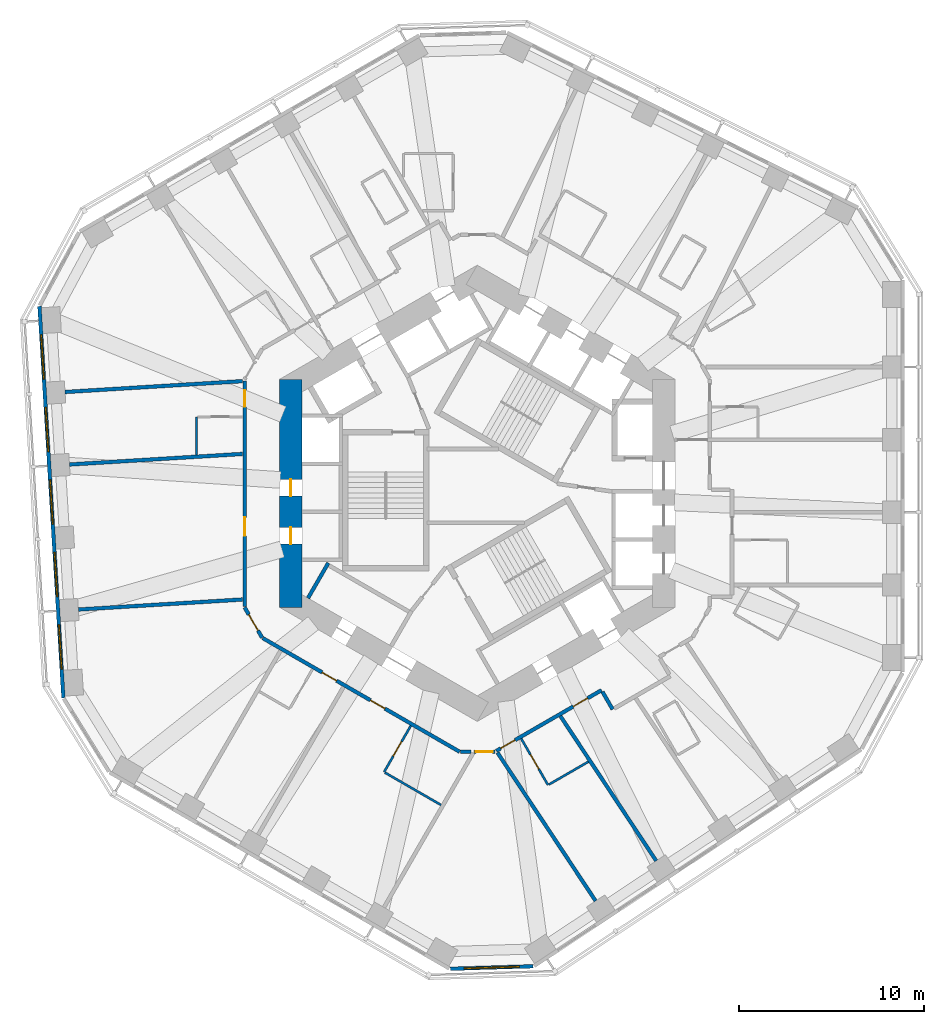
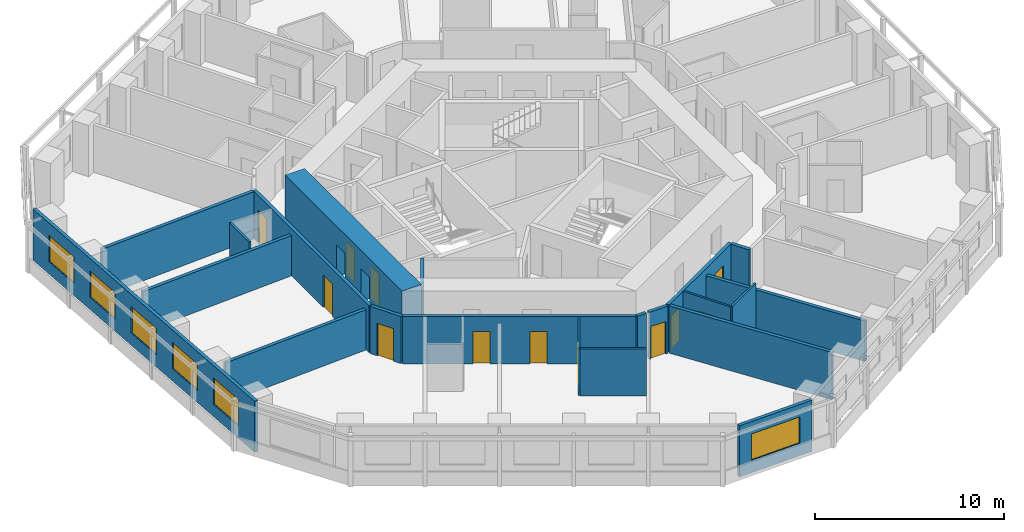
# One storey, part 4 of 12: 21 walls, 12 doors, 6 windows, 18 openings.
"""IFC4 building model written with IfcOpenShell, lengths in metres."""

from ifc_helpers import new_model, si_unit, direction, frame, frame_2d, origin, place, context, subcontext, project, spatial, rectangle, extrude, material, layer, layer_set, type_object, element, fill, save


model = new_model("IFC4")

# Units and contexts
model_context = context("Model", 3, precision=1e-05, world=origin(), true_north=direction((0.0, 1.0)))
body_context = subcontext(model_context, "Body", "Model", "MODEL_VIEW")
ifc_project = project(units=[si_unit("LENGTHUNIT", "METRE"), si_unit("AREAUNIT", "SQUARE_METRE"), si_unit("VOLUMEUNIT", "CUBIC_METRE"), si_unit("PLANEANGLEUNIT", "RADIAN"), si_unit("MASSUNIT", "GRAM", prefix="KILO")], contexts=[model_context])

# Site, building, storey
site_placement = place(None, origin())
site = spatial("IfcSite", under=ifc_project, at=site_placement, CompositionType="ELEMENT")
building_placement = place(site_placement, origin())
building = spatial("IfcBuilding", under=site, at=building_placement, Name="Vanh Sen Convention Tower", CompositionType="ELEMENT")
storey_placement = place(building_placement, frame((0.0, 0.0, 83.60009765625)))
storey = spatial("IfcBuildingStorey", under=building, at=storey_placement, Name="L18", CompositionType="ELEMENT", Elevation=83.60009765625)

# Wall
ifc_material_1 = material(Name="Moisture-resistant gypsum board on steel studs", Category="steel")
ifc_layer_1 = layer(ifc_material_1, 0.1201171875)
ifc_layer_set_1 = layer_set([ifc_layer_1], Name="Moisture-resistant gypsum board on steel studs")
wall_type_1 = type_object("IfcWallType", Name="Bathroom partition 120", PredefinedType="PARTITIONING", material=ifc_layer_set_1)
wall_1_placement = place(storey_placement, frame((-15.199951171875, 2.080322265625, 0.0), z_axis=(0.0, 0.0, 1.0), x_axis=(0.0, 1.0, 0.0)))
element("IfcWall", 1, at=wall_1_placement, inside=storey, type_object=wall_type_1, Name="Bathroom partition 120", PredefinedType="PARTITIONING", context=body_context, shape_type="SweptSolid", body=[
    extrude(rectangle(XDim=2.05908203125, YDim=0.1201171875, at=frame_2d((1.029541015625, 0.0))), origin(), (0.0, 0.0, 1.0), 3.0498046875),
])

# Wall, opening, door
wall_2_placement = place(storey_placement, frame((-5.048095703125, -15.098876953125, 0.0), z_axis=(0.0, 0.0, 1.0), x_axis=(0.499987231761, 0.866032775405, 0.0)))
wall_2 = element("IfcWall", 2, at=wall_2_placement, inside=storey, type_object=wall_type_1, Name="Bathroom partition 120", PredefinedType="PARTITIONING", context=body_context, shape_type="SweptSolid", body=[
    extrude(rectangle(XDim=2.89990234375, YDim=0.1201171875, at=frame_2d((1.449951171875, 0.0))), origin(), (0.0, 0.0, 1.0), 3.0498046875),
])
opening_1_placement = place(wall_2_placement, frame((1.0, 0.0, 0.0)))
opening_1 = element("IfcOpeningElement", 3, at=opening_1_placement, cuts=wall_2, Name="Opening D16128", PredefinedType="OPENING", context=body_context, shape_type="SweptSolid", body=[
    extrude(rectangle(XDim=0.89990234375, YDim=2.10009765625, at=frame_2d((0.449951171875, 1.050048828125))), frame((0.0, 0.070068359375, 0.0), z_axis=(0.0, -1.0, 0.0), x_axis=(1.0, 0.0, 0.0)), (0.0, 0.0, 1.0), 0.14013671875),
])
ifc_material_2 = material(Name="Laminate door in steel frame", Category="steel")
door_type_1 = type_object("IfcDoorType", Name="En-suite door 900", OperationType="SINGLE_SWING_LEFT", PredefinedType="DOOR", material=ifc_material_2)
door_1_placement = place(opening_1_placement, origin())
door_1 = element("IfcDoor", 4, at=door_1_placement, inside=storey, type_object=door_type_1, Name="En-suite door D16128", OperationType="SINGLE_SWING_LEFT", OverallHeight=2.10009765625, OverallWidth=0.89990234375, PredefinedType="DOOR", context=body_context, shape_type="SweptSolid", body=[
    extrude(rectangle(XDim=0.89990234375, YDim=2.10009765625, at=frame_2d((0.449951171875, 1.050048828125))), frame((0.0, 0.02490234375, 0.0), z_axis=(0.0, -1.0, 0.0), x_axis=(1.0, 0.0, 0.0)), (0.0, 0.0, 1.0), 0.050048828125),
])
fill(opening_1, door_1)

# Wall
wall_3_placement = place(storey_placement, frame((-1.963623046875, -16.879638671875, 0.0), z_axis=(0.0, 0.0, 1.0), x_axis=(-0.866033485632, 0.499986001567, 0.0)))
element("IfcWall", 5, at=wall_3_placement, inside=storey, type_object=wall_type_1, Name="Bathroom partition 120", PredefinedType="PARTITIONING", context=body_context, shape_type="SweptSolid", body=[
    extrude(rectangle(XDim=3.50146484375, YDim=0.1201171875, at=frame_2d((1.750732421875, 0.0))), origin(), (0.0, 0.0, 1.0), 3.0498046875),
])

# Wall, opening, door
wall_4_placement = place(storey_placement, frame((3.83251953125, -15.800537109375, 0.0), z_axis=(0.0, 0.0, 1.0), x_axis=(-0.500023687443, 0.866011727401, 0.0)))
wall_4 = element("IfcWall", 6, at=wall_4_placement, inside=storey, type_object=wall_type_1, Name="Bathroom partition 120", PredefinedType="PARTITIONING", context=body_context, shape_type="SweptSolid", body=[
    extrude(rectangle(XDim=2.899658203125, YDim=0.1201171875, at=frame_2d((1.44970703125, 0.0))), origin(), (0.0, 0.0, 1.0), 3.0498046875),
])
opening_2_placement = place(wall_4_placement, frame((1.0, 0.0, 0.0)))
opening_2 = element("IfcOpeningElement", 7, at=opening_2_placement, cuts=wall_4, Name="Opening D16131", PredefinedType="OPENING", context=body_context, shape_type="SweptSolid", body=[
    extrude(rectangle(XDim=0.89990234375, YDim=2.10009765625, at=frame_2d((0.449951171875, 1.050048828125))), frame((0.0, 0.070068359375, 0.0), z_axis=(0.0, -1.0, 0.0), x_axis=(1.0, 0.0, 0.0)), (0.0, 0.0, 1.0), 0.14013671875),
])
door_2_placement = place(opening_2_placement, origin())
door_2 = element("IfcDoor", 8, at=door_2_placement, inside=storey, type_object=door_type_1, Name="En-suite door D16131", OperationType="SINGLE_SWING_LEFT", OverallHeight=2.10009765625, OverallWidth=0.89990234375, PredefinedType="DOOR", context=body_context, shape_type="SweptSolid", body=[
    extrude(rectangle(XDim=0.89990234375, YDim=2.10009765625, at=frame_2d((0.449951171875, 1.050048828125))), frame((0.0, 0.02490234375, 0.0), z_axis=(0.0, -1.0, 0.0), x_axis=(1.0, 0.0, 0.0)), (0.0, 0.0, 1.0), 0.050048828125),
])
fill(opening_2, door_2)

# Wall
wall_5_placement = place(storey_placement, frame((6.01953125, -14.537841796875, 0.0), z_axis=(0.0, 0.0, 1.0), x_axis=(-0.866022320763, -0.500005339912, 0.0)))
element("IfcWall", 9, at=wall_5_placement, inside=storey, type_object=wall_type_1, Name="Bathroom partition 120", PredefinedType="PARTITIONING", context=body_context, shape_type="SweptSolid", body=[
    extrude(rectangle(XDim=2.46533203125, YDim=0.1201171875, at=frame_2d((1.232666015625, 0.0))), origin(), (0.0, 0.0, 1.0), 3.0498046875),
])

# Wall, openings, doors
ifc_material_3 = material(Name="Concrete C80/95", Category="concrete")
ifc_layer_2 = layer(ifc_material_3, 1.199951171875)
ifc_layer_set_2 = layer_set([ifc_layer_2], Name="Concrete C80/95")
wall_type_2 = type_object("IfcWallType", Name="Core outer wall 1200 C80/95", PredefinedType="SHEAR", material=ifc_layer_set_2)
wall_6_placement = place(storey_placement, frame((-10.10009765625, 6.177490234375, 0.0), z_axis=(0.0, 0.0, 1.0), x_axis=(0.0, -1.0, 0.0)))
wall_6 = element("IfcWall", 10, at=wall_6_placement, inside=storey, type_object=wall_type_2, Name="Core wall face W L18", PredefinedType="SHEAR", context=body_context, shape_type="SweptSolid", body=[
    extrude(rectangle(XDim=12.35498046875, YDim=1.199951171875, at=frame_2d((6.177490234375, 0.0))), origin(), (0.0, 0.0, 1.0), 3.2998046875),
])
opening_3_placement = place(wall_6_placement, frame((5.427490234375, 0.0, 0.0)))
opening_3 = element("IfcOpeningElement", 11, at=opening_3_placement, cuts=wall_6, Name="Opening D16010", PredefinedType="OPENING", context=body_context, shape_type="SweptSolid", body=[
    extrude(rectangle(XDim=0.89990234375, YDim=2.10009765625, at=frame_2d((0.449951171875, 1.050048828125))), frame((0.0, 0.60986328125, 0.0), z_axis=(0.0, -1.0, 0.0), x_axis=(1.0, 0.0, 0.0)), (0.0, 0.0, 1.0), 1.219970703125),
])
opening_4_placement = place(wall_6_placement, frame((8.027587890625, 0.0, 0.0)))
opening_4 = element("IfcOpeningElement", 12, at=opening_4_placement, cuts=wall_6, Name="Opening D16011", PredefinedType="OPENING", context=body_context, shape_type="SweptSolid", body=[
    extrude(rectangle(XDim=0.89990234375, YDim=2.10009765625, at=frame_2d((0.449951171875, 1.050048828125))), frame((0.0, 0.60986328125, 0.0), z_axis=(0.0, -1.0, 0.0), x_axis=(1.0, 0.0, 0.0)), (0.0, 0.0, 1.0), 1.219970703125),
])
ifc_material_4 = material(Name="Steel S355", Category="steel")
door_type_2 = type_object("IfcDoorType", Name="Plant door 900", OperationType="SINGLE_SWING_LEFT", PredefinedType="DOOR", material=ifc_material_4)
door_3_placement = place(opening_3_placement, origin())
door_3 = element("IfcDoor", 13, at=door_3_placement, inside=storey, type_object=door_type_2, Name="Plant door D16010", OperationType="SINGLE_SWING_LEFT", OverallHeight=2.10009765625, OverallWidth=0.89990234375, PredefinedType="DOOR", context=body_context, shape_type="SweptSolid", body=[
    extrude(rectangle(XDim=0.89990234375, YDim=2.10009765625, at=frame_2d((0.449951171875, 1.050048828125))), frame((0.0, 0.02490234375, 0.0), z_axis=(0.0, -1.0, 0.0), x_axis=(1.0, 0.0, 0.0)), (0.0, 0.0, 1.0), 0.050048828125),
])
fill(opening_3, door_3)
door_4_placement = place(opening_4_placement, origin())
door_4 = element("IfcDoor", 14, at=door_4_placement, inside=storey, type_object=door_type_2, Name="Plant door D16011", OperationType="SINGLE_SWING_LEFT", OverallHeight=2.10009765625, OverallWidth=0.89990234375, PredefinedType="DOOR", context=body_context, shape_type="SweptSolid", body=[
    extrude(rectangle(XDim=0.89990234375, YDim=2.10009765625, at=frame_2d((0.449951171875, 1.050048828125))), frame((0.0, 0.02490234375, 0.0), z_axis=(0.0, -1.0, 0.0), x_axis=(1.0, 0.0, 0.0)), (0.0, 0.0, 1.0), 0.050048828125),
])
fill(opening_4, door_4)

# Wall, opening, door
ifc_material_5 = material(Name="Gypsum board on steel studs with mineral wool", Category="steel")
ifc_layer_3 = layer(ifc_material_5, 0.199951171875)
ifc_layer_set_3 = layer_set([ifc_layer_3], Name="Gypsum board on steel studs with mineral wool")
wall_type_3 = type_object("IfcWallType", Name="Corridor partition wall 200", PredefinedType="PARTITIONING", material=ifc_layer_set_3)
wall_7_placement = place(storey_placement, frame((-12.60009765625, -6.177490234375, 0.0), z_axis=(0.0, 0.0, 1.0), x_axis=(0.500063520245, -0.865988727248, 0.0)))
wall_7 = element("IfcWall", 15, at=wall_7_placement, inside=storey, type_object=wall_type_3, Name="Corridor partition wall 200", PredefinedType="PARTITIONING", context=body_context, shape_type="SweptSolid", body=[
    extrude(rectangle(XDim=1.900146484375, YDim=0.199951171875, at=frame_2d((0.9501953125, 0.0))), origin(), (0.0, 0.0, 1.0), 3.0498046875),
])
opening_5_placement = place(wall_7_placement, frame((0.449951171875, 0.0, 0.0)))
opening_5 = element("IfcOpeningElement", 16, at=opening_5_placement, cuts=wall_7, Name="Opening D16124", PredefinedType="OPENING", context=body_context, shape_type="SweptSolid", body=[
    extrude(rectangle(XDim=1.0, YDim=2.10009765625, at=frame_2d((0.5, 1.050048828125))), frame((0.0, 0.10986328125, 0.0), z_axis=(0.0, -1.0, 0.0), x_axis=(1.0, 0.0, 0.0)), (0.0, 0.0, 1.0), 0.219970703125),
])
ifc_material_6 = material(Name="Timber fire door in steel frame", Category="steel")
door_type_3 = type_object("IfcDoorType", Name="Floor room door 1000", OperationType="SINGLE_SWING_LEFT", PredefinedType="DOOR", material=ifc_material_6)
door_5_placement = place(opening_5_placement, origin())
door_5 = element("IfcDoor", 17, at=door_5_placement, inside=storey, type_object=door_type_3, Name="Meeting and amenity room door D16124", OperationType="SINGLE_SWING_LEFT", OverallHeight=2.10009765625, OverallWidth=1.0, PredefinedType="DOOR", context=body_context, shape_type="SweptSolid", body=[
    extrude(rectangle(XDim=1.0, YDim=2.10009765625, at=frame_2d((0.5, 1.050048828125))), frame((0.0, 0.02490234375, 0.0), z_axis=(0.0, -1.0, 0.0), x_axis=(1.0, 0.0, 0.0)), (0.0, 0.0, 1.0), 0.050048828125),
])
fill(opening_5, door_5)

# Wall, openings, doors
wall_8_placement = place(storey_placement, frame((-12.60009765625, 6.081298828125, 0.0), z_axis=(0.0, 0.0, 1.0), x_axis=(0.0, -1.0, 0.0)))
wall_8 = element("IfcWall", 18, at=wall_8_placement, inside=storey, type_object=wall_type_3, Name="Corridor partition wall 200", PredefinedType="PARTITIONING", context=body_context, shape_type="SweptSolid", body=[
    extrude(rectangle(XDim=12.218994140625, YDim=0.199951171875, at=frame_2d((6.109375, 0.0))), origin(), (0.0, 0.0, 1.0), 3.0498046875),
])
opening_6_placement = place(wall_8_placement, frame((0.495849609375, 0.0, 0.0)))
opening_6 = element("IfcOpeningElement", 19, at=opening_6_placement, cuts=wall_8, Name="Opening D16121", PredefinedType="OPENING", context=body_context, shape_type="SweptSolid", body=[
    extrude(rectangle(XDim=0.89990234375, YDim=2.10009765625, at=frame_2d((0.449951171875, 1.050048828125))), frame((0.0, 0.10986328125, 0.0), z_axis=(0.0, -1.0, 0.0), x_axis=(1.0, 0.0, 0.0)), (0.0, 0.0, 1.0), 0.219970703125),
])
opening_7_placement = place(wall_8_placement, frame((7.3837890625, 0.0, 0.0)))
opening_7 = element("IfcOpeningElement", 20, at=opening_7_placement, cuts=wall_8, Name="Opening D16123", PredefinedType="OPENING", context=body_context, shape_type="SweptSolid", body=[
    extrude(rectangle(XDim=1.0, YDim=2.10009765625, at=frame_2d((0.5, 1.050048828125))), frame((0.0, 0.10986328125, 0.0), z_axis=(0.0, -1.0, 0.0), x_axis=(1.0, 0.0, 0.0)), (0.0, 0.0, 1.0), 0.219970703125),
])
door_6_placement = place(opening_7_placement, origin())
door_6 = element("IfcDoor", 21, at=door_6_placement, inside=storey, type_object=door_type_3, Name="Meeting and amenity room door D16123", OperationType="SINGLE_SWING_LEFT", OverallHeight=2.10009765625, OverallWidth=1.0, PredefinedType="DOOR", context=body_context, shape_type="SweptSolid", body=[
    extrude(rectangle(XDim=1.0, YDim=2.10009765625, at=frame_2d((0.5, 1.050048828125))), frame((0.0, 0.02490234375, 0.0), z_axis=(0.0, -1.0, 0.0), x_axis=(1.0, 0.0, 0.0)), (0.0, 0.0, 1.0), 0.050048828125),
])
fill(opening_7, door_6)
door_type_4 = type_object("IfcDoorType", Name="Guest room door 900", OperationType="SINGLE_SWING_LEFT", PredefinedType="DOOR", material=ifc_material_6)
door_7_placement = place(opening_6_placement, origin())
door_7 = element("IfcDoor", 22, at=door_7_placement, inside=storey, type_object=door_type_4, Name="Hotel guest room door D16121", OperationType="SINGLE_SWING_LEFT", OverallHeight=2.10009765625, OverallWidth=0.89990234375, PredefinedType="DOOR", context=body_context, shape_type="SweptSolid", body=[
    extrude(rectangle(XDim=0.89990234375, YDim=2.10009765625, at=frame_2d((0.449951171875, 1.050048828125))), frame((0.0, 0.02490234375, 0.0), z_axis=(0.0, -1.0, 0.0), x_axis=(1.0, 0.0, 0.0)), (0.0, 0.0, 1.0), 0.050048828125),
])
fill(opening_6, door_7)

wall_9_placement = place(storey_placement, frame((-11.615478515625, -7.843017578125, 0.0), z_axis=(0.0, 0.0, 1.0), x_axis=(0.866026466995, -0.499998158461, 0.0)))
wall_9 = element("IfcWall", 23, at=wall_9_placement, inside=storey, type_object=wall_type_3, Name="Corridor partition wall 200", PredefinedType="PARTITIONING", context=body_context, shape_type="SweptSolid", body=[
    extrude(rectangle(XDim=12.3154296875, YDim=0.199951171875, at=frame_2d((6.15771484375, 0.0))), origin(), (0.0, 0.0, 1.0), 3.0498046875),
])
opening_8_placement = place(wall_9_placement, frame((3.71533203125, 0.0, 0.0)))
opening_8 = element("IfcOpeningElement", 24, at=opening_8_placement, cuts=wall_9, Name="Opening D16125", PredefinedType="OPENING", context=body_context, shape_type="SweptSolid", body=[
    extrude(rectangle(XDim=0.89990234375, YDim=2.10009765625, at=frame_2d((0.449951171875, 1.050048828125))), frame((0.0, 0.10986328125, 0.0), z_axis=(0.0, -1.0, 0.0), x_axis=(1.0, 0.0, 0.0)), (0.0, 0.0, 1.0), 0.219970703125),
])
opening_9_placement = place(wall_9_placement, frame((6.736572265625, 0.0, 0.0)))
opening_9 = element("IfcOpeningElement", 25, at=opening_9_placement, cuts=wall_9, Name="Opening D16127", PredefinedType="OPENING", context=body_context, shape_type="SweptSolid", body=[
    extrude(rectangle(XDim=0.89990234375, YDim=2.10009765625, at=frame_2d((0.449951171875, 1.050048828125))), frame((0.0, 0.10986328125, 0.0), z_axis=(0.0, -1.0, 0.0), x_axis=(1.0, 0.0, 0.0)), (0.0, 0.0, 1.0), 0.219970703125),
])
door_8_placement = place(opening_8_placement, origin())
door_8 = element("IfcDoor", 26, at=door_8_placement, inside=storey, type_object=door_type_4, Name="Hotel guest room door D16125", OperationType="SINGLE_SWING_LEFT", OverallHeight=2.10009765625, OverallWidth=0.89990234375, PredefinedType="DOOR", context=body_context, shape_type="SweptSolid", body=[
    extrude(rectangle(XDim=0.89990234375, YDim=2.10009765625, at=frame_2d((0.449951171875, 1.050048828125))), frame((0.0, 0.02490234375, 0.0), z_axis=(0.0, -1.0, 0.0), x_axis=(1.0, 0.0, 0.0)), (0.0, 0.0, 1.0), 0.050048828125),
])
fill(opening_8, door_8)
door_9_placement = place(opening_9_placement, origin())
door_9 = element("IfcDoor", 27, at=door_9_placement, inside=storey, type_object=door_type_4, Name="Hotel guest room door D16127", OperationType="SINGLE_SWING_LEFT", OverallHeight=2.10009765625, OverallWidth=0.89990234375, PredefinedType="DOOR", context=body_context, shape_type="SweptSolid", body=[
    extrude(rectangle(XDim=0.89990234375, YDim=2.10009765625, at=frame_2d((0.449951171875, 1.050048828125))), frame((0.0, 0.02490234375, 0.0), z_axis=(0.0, -1.0, 0.0), x_axis=(1.0, 0.0, 0.0)), (0.0, 0.0, 1.0), 0.050048828125),
])
fill(opening_9, door_9)

# Wall
wall_10_placement = place(storey_placement, frame((-0.909912109375, -14.000732421875, 0.0), z_axis=(0.0, 0.0, 1.0), x_axis=(1.0, 0.0, 0.0)))
element("IfcWall", 28, at=wall_10_placement, inside=storey, type_object=wall_type_3, Name="Corridor partition wall 200", PredefinedType="PARTITIONING", context=body_context, shape_type="SweptSolid", body=[
    extrude(rectangle(XDim=0.559814453125, YDim=0.199951171875, at=frame_2d((0.27978515625, 0.0))), origin(), (0.0, 0.0, 1.0), 3.0498046875),
])

# Wall, opening, door
wall_11_placement = place(storey_placement, frame((-0.186279296875, -14.000732421875, 0.0), z_axis=(0.0, 0.0, 1.0), x_axis=(1.0, 0.0, 0.0)))
wall_11 = element("IfcWall", 29, at=wall_11_placement, inside=storey, type_object=wall_type_3, Name="Corridor partition wall 200", PredefinedType="PARTITIONING", context=body_context, shape_type="SweptSolid", body=[
    extrude(rectangle(XDim=1.13623046875, YDim=0.199951171875, at=frame_2d((0.568115234375, 0.0))), origin(), (0.0, 0.0, 1.0), 3.0498046875),
])
opening_10_placement = place(wall_11_placement, frame((0.1181640625, 0.0, 0.0)))
opening_10 = element("IfcOpeningElement", 30, at=opening_10_placement, cuts=wall_11, Name="Opening D16129", PredefinedType="OPENING", context=body_context, shape_type="SweptSolid", body=[
    extrude(rectangle(XDim=0.89990234375, YDim=2.10009765625, at=frame_2d((0.449951171875, 1.050048828125))), frame((0.0, 0.10986328125, 0.0), z_axis=(0.0, -1.0, 0.0), x_axis=(1.0, 0.0, 0.0)), (0.0, 0.0, 1.0), 0.219970703125),
])
door_type_5 = type_object("IfcDoorType", Name="Floor room door 900", OperationType="SINGLE_SWING_LEFT", PredefinedType="DOOR", material=ifc_material_6)
door_10_placement = place(opening_10_placement, origin())
door_10 = element("IfcDoor", 31, at=door_10_placement, inside=storey, type_object=door_type_5, Name="Meeting and amenity room door D16129", OperationType="SINGLE_SWING_LEFT", OverallHeight=2.10009765625, OverallWidth=0.89990234375, PredefinedType="DOOR", context=body_context, shape_type="SweptSolid", body=[
    extrude(rectangle(XDim=0.89990234375, YDim=2.10009765625, at=frame_2d((0.449951171875, 1.050048828125))), frame((0.0, 0.02490234375, 0.0), z_axis=(0.0, -1.0, 0.0), x_axis=(1.0, 0.0, 0.0)), (0.0, 0.0, 1.0), 0.050048828125),
])
fill(opening_10, door_10)

# Wall, openings, doors
wall_12_placement = place(storey_placement, frame((1.033447265625, -13.95263671875, 0.0), z_axis=(0.0, 0.0, 1.0), x_axis=(0.866017531406, 0.500013635111, 0.0)))
wall_12 = element("IfcWall", 32, at=wall_12_placement, inside=storey, type_object=wall_type_3, Name="Corridor partition wall 200", PredefinedType="PARTITIONING", context=body_context, shape_type="SweptSolid", body=[
    extrude(rectangle(XDim=6.580322265625, YDim=0.199951171875, at=frame_2d((3.2900390625, 0.0))), origin(), (0.0, 0.0, 1.0), 3.0498046875),
])
opening_11_placement = place(wall_12_placement, frame((0.27490234375, 0.0, 0.0)))
opening_11 = element("IfcOpeningElement", 33, at=opening_11_placement, cuts=wall_12, Name="Opening D16130", PredefinedType="OPENING", context=body_context, shape_type="SweptSolid", body=[
    extrude(rectangle(XDim=0.89990234375, YDim=2.10009765625, at=frame_2d((0.449951171875, 1.050048828125))), frame((0.0, 0.10986328125, 0.0), z_axis=(0.0, -1.0, 0.0), x_axis=(1.0, 0.0, 0.0)), (0.0, 0.0, 1.0), 0.219970703125),
])
opening_12_placement = place(wall_12_placement, frame((4.81103515625, 0.0, 0.0)))
opening_12 = element("IfcOpeningElement", 34, at=opening_12_placement, cuts=wall_12, Name="Opening D16132", PredefinedType="OPENING", context=body_context, shape_type="SweptSolid", body=[
    extrude(rectangle(XDim=0.89990234375, YDim=2.10009765625, at=frame_2d((0.449951171875, 1.050048828125))), frame((0.0, 0.10986328125, 0.0), z_axis=(0.0, -1.0, 0.0), x_axis=(1.0, 0.0, 0.0)), (0.0, 0.0, 1.0), 0.219970703125),
])
door_type_6 = type_object("IfcDoorType", Name="Floor service door 900", OperationType="SINGLE_SWING_LEFT", PredefinedType="DOOR", material=ifc_material_6)
door_11_placement = place(opening_12_placement, origin())
door_11 = element("IfcDoor", 35, at=door_11_placement, inside=storey, type_object=door_type_6, Name="Service room door D16132", OperationType="SINGLE_SWING_LEFT", OverallHeight=2.10009765625, OverallWidth=0.89990234375, PredefinedType="DOOR", context=body_context, shape_type="SweptSolid", body=[
    extrude(rectangle(XDim=0.89990234375, YDim=2.10009765625, at=frame_2d((0.449951171875, 1.050048828125))), frame((0.0, 0.02490234375, 0.0), z_axis=(0.0, -1.0, 0.0), x_axis=(1.0, 0.0, 0.0)), (0.0, 0.0, 1.0), 0.050048828125),
])
fill(opening_12, door_11)
door_12_placement = place(opening_11_placement, origin())
door_12 = element("IfcDoor", 36, at=door_12_placement, inside=storey, type_object=door_type_4, Name="Hotel guest room door D16130", OperationType="SINGLE_SWING_LEFT", OverallHeight=2.10009765625, OverallWidth=0.89990234375, PredefinedType="DOOR", context=body_context, shape_type="SweptSolid", body=[
    extrude(rectangle(XDim=0.89990234375, YDim=2.10009765625, at=frame_2d((0.449951171875, 1.050048828125))), frame((0.0, 0.02490234375, 0.0), z_axis=(0.0, -1.0, 0.0), x_axis=(1.0, 0.0, 0.0)), (0.0, 0.0, 1.0), 0.050048828125),
])
fill(opening_11, door_12)

# Wall
wall_13_placement = place(storey_placement, frame((6.781982421875, -10.7490234375, 0.0), z_axis=(0.0, 0.0, 1.0), x_axis=(0.500074377092, -0.865982457891, 0.0)))
element("IfcWall", 37, at=wall_13_placement, inside=storey, type_object=wall_type_3, Name="Corridor partition wall 200", PredefinedType="PARTITIONING", context=body_context, shape_type="SweptSolid", body=[
    extrude(rectangle(XDim=1.100830078125, YDim=0.199951171875, at=frame_2d((0.55029296875, 0.0))), origin(), (0.0, 0.0, 1.0), 3.0498046875),
])

# Wall, openings, windows
ifc_material_7 = material(Name="Insulated lightweight infill wall")
ifc_layer_4 = layer(ifc_material_7, 0.199951171875)
ifc_layer_set_4 = layer_set([ifc_layer_4], Name="Insulated lightweight infill wall")
wall_type_4 = type_object("IfcWallType", Name="External wall 200", PredefinedType="STANDARD", material=ifc_layer_set_4)
wall_14_placement = place(storey_placement, frame((-23.712646484375, 10.130859375, 0.0), z_axis=(0.0, 0.0, 1.0), x_axis=(0.061040439785, -0.998135293791, 0.0)))
wall_14 = element("IfcWall", 38, at=wall_14_placement, inside=storey, type_object=wall_type_4, Name="External wall W L18", PredefinedType="STANDARD", context=body_context, shape_type="SweptSolid", body=[
    extrude(rectangle(XDim=21.24609375, YDim=0.199951171875, at=frame_2d((10.623046875, 0.0))), origin(), (0.0, 0.0, 1.0), 3.2998046875),
])
opening_13_placement = place(wall_14_placement, frame((1.552978515625, 0.0, 0.800048828125)))
opening_13 = element("IfcOpeningElement", 39, at=opening_13_placement, cuts=wall_14, Name="Opening WH1-W1", PredefinedType="OPENING", context=body_context, shape_type="SweptSolid", body=[
    extrude(rectangle(XDim=2.39990234375, YDim=1.699951171875, at=frame_2d((1.199951171875, 0.85009765625))), frame((0.0, 0.10986328125, 0.0), z_axis=(0.0, -1.0, 0.0), x_axis=(1.0, 0.0, 0.0)), (0.0, 0.0, 1.0), 0.219970703125),
])
opening_14_placement = place(wall_14_placement, frame((5.48779296875, 0.0, 0.800048828125)))
opening_14 = element("IfcOpeningElement", 40, at=opening_14_placement, cuts=wall_14, Name="Opening WH1-W2", PredefinedType="OPENING", context=body_context, shape_type="SweptSolid", body=[
    extrude(rectangle(XDim=2.39990234375, YDim=1.699951171875, at=frame_2d((1.199951171875, 0.85009765625))), frame((0.0, 0.10986328125, 0.0), z_axis=(0.0, -1.0, 0.0), x_axis=(1.0, 0.0, 0.0)), (0.0, 0.0, 1.0), 0.219970703125),
])
opening_15_placement = place(wall_14_placement, frame((9.42236328125, 0.0, 0.800048828125)))
opening_15 = element("IfcOpeningElement", 41, at=opening_15_placement, cuts=wall_14, Name="Opening WH1-W3", PredefinedType="OPENING", context=body_context, shape_type="SweptSolid", body=[
    extrude(rectangle(XDim=2.39990234375, YDim=1.699951171875, at=frame_2d((1.199951171875, 0.85009765625))), frame((0.0, 0.10986328125, 0.0), z_axis=(0.0, -1.0, 0.0), x_axis=(1.0, 0.0, 0.0)), (0.0, 0.0, 1.0), 0.219970703125),
])
opening_16_placement = place(wall_14_placement, frame((13.35693359375, 0.0, 0.800048828125)))
opening_16 = element("IfcOpeningElement", 42, at=opening_16_placement, cuts=wall_14, Name="Opening WH1-W4", PredefinedType="OPENING", context=body_context, shape_type="SweptSolid", body=[
    extrude(rectangle(XDim=2.39990234375, YDim=1.699951171875, at=frame_2d((1.199951171875, 0.85009765625))), frame((0.0, 0.10986328125, 0.0), z_axis=(0.0, -1.0, 0.0), x_axis=(1.0, 0.0, 0.0)), (0.0, 0.0, 1.0), 0.219970703125),
])
opening_17_placement = place(wall_14_placement, frame((17.29150390625, 0.0, 0.800048828125)))
opening_17 = element("IfcOpeningElement", 43, at=opening_17_placement, cuts=wall_14, Name="Opening WH1-W5", PredefinedType="OPENING", context=body_context, shape_type="SweptSolid", body=[
    extrude(rectangle(XDim=2.39990234375, YDim=1.699951171875, at=frame_2d((1.199951171875, 0.85009765625))), frame((0.0, 0.10986328125, 0.0), z_axis=(0.0, -1.0, 0.0), x_axis=(1.0, 0.0, 0.0)), (0.0, 0.0, 1.0), 0.219970703125),
])
ifc_material_8 = material(Name="Aluminium frame with clear low-emissivity glass", Category="aluminium")
window_type_1 = type_object("IfcWindowType", Name="Hotel window 2400 x 1700", PartitioningType="SINGLE_PANEL", PredefinedType="WINDOW", material=ifc_material_8)
window_1_placement = place(opening_13_placement, origin())
window_1 = element("IfcWindow", 44, at=window_1_placement, inside=storey, type_object=window_type_1, Name="Window WH1-W1", OverallHeight=1.699951171875, OverallWidth=2.39990234375, PartitioningType="SINGLE_PANEL", PredefinedType="WINDOW", context=body_context, shape_type="SweptSolid", body=[
    extrude(rectangle(XDim=2.39990234375, YDim=1.699951171875, at=frame_2d((1.199951171875, 0.85009765625))), frame((0.0, 0.030029296875, 0.0), z_axis=(0.0, -1.0, 0.0), x_axis=(1.0, 0.0, 0.0)), (0.0, 0.0, 1.0), 0.06005859375),
])
fill(opening_13, window_1)
window_2_placement = place(opening_14_placement, origin())
window_2 = element("IfcWindow", 45, at=window_2_placement, inside=storey, type_object=window_type_1, Name="Window WH1-W2", OverallHeight=1.699951171875, OverallWidth=2.39990234375, PartitioningType="SINGLE_PANEL", PredefinedType="WINDOW", context=body_context, shape_type="SweptSolid", body=[
    extrude(rectangle(XDim=2.39990234375, YDim=1.699951171875, at=frame_2d((1.199951171875, 0.85009765625))), frame((0.0, 0.030029296875, 0.0), z_axis=(0.0, -1.0, 0.0), x_axis=(1.0, 0.0, 0.0)), (0.0, 0.0, 1.0), 0.06005859375),
])
fill(opening_14, window_2)
window_3_placement = place(opening_15_placement, origin())
window_3 = element("IfcWindow", 46, at=window_3_placement, inside=storey, type_object=window_type_1, Name="Window WH1-W3", OverallHeight=1.699951171875, OverallWidth=2.39990234375, PartitioningType="SINGLE_PANEL", PredefinedType="WINDOW", context=body_context, shape_type="SweptSolid", body=[
    extrude(rectangle(XDim=2.39990234375, YDim=1.699951171875, at=frame_2d((1.199951171875, 0.85009765625))), frame((0.0, 0.030029296875, 0.0), z_axis=(0.0, -1.0, 0.0), x_axis=(1.0, 0.0, 0.0)), (0.0, 0.0, 1.0), 0.06005859375),
])
fill(opening_15, window_3)
window_4_placement = place(opening_16_placement, origin())
window_4 = element("IfcWindow", 47, at=window_4_placement, inside=storey, type_object=window_type_1, Name="Window WH1-W4", OverallHeight=1.699951171875, OverallWidth=2.39990234375, PartitioningType="SINGLE_PANEL", PredefinedType="WINDOW", context=body_context, shape_type="SweptSolid", body=[
    extrude(rectangle(XDim=2.39990234375, YDim=1.699951171875, at=frame_2d((1.199951171875, 0.85009765625))), frame((0.0, 0.030029296875, 0.0), z_axis=(0.0, -1.0, 0.0), x_axis=(1.0, 0.0, 0.0)), (0.0, 0.0, 1.0), 0.06005859375),
])
fill(opening_16, window_4)
window_5_placement = place(opening_17_placement, origin())
window_5 = element("IfcWindow", 48, at=window_5_placement, inside=storey, type_object=window_type_1, Name="Window WH1-W5", OverallHeight=1.699951171875, OverallWidth=2.39990234375, PartitioningType="SINGLE_PANEL", PredefinedType="WINDOW", context=body_context, shape_type="SweptSolid", body=[
    extrude(rectangle(XDim=2.39990234375, YDim=1.699951171875, at=frame_2d((1.199951171875, 0.85009765625))), frame((0.0, 0.030029296875, 0.0), z_axis=(0.0, -1.0, 0.0), x_axis=(1.0, 0.0, 0.0)), (0.0, 0.0, 1.0), 0.06005859375),
])
fill(opening_17, window_5)

# Wall, opening, window
wall_15_placement = place(storey_placement, frame((-1.461181640625, -25.7548828125, 0.0), z_axis=(0.0, 0.0, 1.0), x_axis=(0.999533823446, 0.030530898895, 0.0)))
wall_15 = element("IfcWall", 49, at=wall_15_placement, inside=storey, type_object=wall_type_4, Name="External wall CH5 L18", PredefinedType="STANDARD", context=body_context, shape_type="SweptSolid", body=[
    extrude(rectangle(XDim=4.494140625, YDim=0.199951171875, at=frame_2d((2.2470703125, 0.0))), origin(), (0.0, 0.0, 1.0), 3.2998046875),
])
opening_18_placement = place(wall_15_placement, frame((0.7470703125, 0.0, 0.800048828125)))
opening_18 = element("IfcOpeningElement", 50, at=opening_18_placement, cuts=wall_15, Name="Opening WH2-CH51", PredefinedType="OPENING", context=body_context, shape_type="SweptSolid", body=[
    extrude(rectangle(XDim=3.0, YDim=1.699951171875, at=frame_2d((1.5, 0.85009765625))), frame((0.0, 0.10986328125, 0.0), z_axis=(0.0, -1.0, 0.0), x_axis=(1.0, 0.0, 0.0)), (0.0, 0.0, 1.0), 0.219970703125),
])
window_type_2 = type_object("IfcWindowType", Name="Hotel window 3000 x 1700", PartitioningType="SINGLE_PANEL", PredefinedType="WINDOW", material=ifc_material_8)
window_6_placement = place(opening_18_placement, origin())
window_6 = element("IfcWindow", 51, at=window_6_placement, inside=storey, type_object=window_type_2, Name="Window WH2-CH51", OverallHeight=1.699951171875, OverallWidth=3.0, PartitioningType="SINGLE_PANEL", PredefinedType="WINDOW", context=body_context, shape_type="SweptSolid", body=[
    extrude(rectangle(XDim=3.0, YDim=1.699951171875, at=frame_2d((1.5, 0.85009765625))), frame((0.0, 0.030029296875, 0.0), z_axis=(0.0, -1.0, 0.0), x_axis=(1.0, 0.0, 0.0)), (0.0, 0.0, 1.0), 0.06005859375),
])
fill(opening_18, window_6)

# Walls
ifc_layer_5 = layer(ifc_material_5, 0.199951171875)
ifc_layer_set_5 = layer_set([ifc_layer_5], Name="Gypsum board on steel studs with mineral wool")
wall_type_5 = type_object("IfcWallType", Name="Hotel party wall 200", PredefinedType="PARTITIONING", material=ifc_layer_set_5)
wall_16_placement = place(storey_placement, frame((-22.32666015625, 5.486328125, 0.0), z_axis=(0.0, 0.0, 1.0), x_axis=(0.998135194863, 0.061042057435, 0.0)))
element("IfcWall", 52, at=wall_16_placement, inside=storey, type_object=wall_type_5, Name="Hotel party wall 200", PredefinedType="PARTITIONING", context=body_context, shape_type="SweptSolid", body=[
    extrude(rectangle(XDim=9.635009765625, YDim=0.199951171875, at=frame_2d((4.8173828125, 0.0))), origin(), (0.0, 0.0, 1.0), 3.0498046875),
])
wall_17_placement = place(storey_placement, frame((-22.08642578125, 1.55908203125, 0.0), z_axis=(0.0, 0.0, 1.0), x_axis=(0.99813491363, 0.061046655873, 0.0)))
element("IfcWall", 53, at=wall_17_placement, inside=storey, type_object=wall_type_5, Name="Hotel party wall 200", PredefinedType="PARTITIONING", context=body_context, shape_type="SweptSolid", body=[
    extrude(rectangle(XDim=9.394287109375, YDim=0.199951171875, at=frame_2d((4.697265625, 0.0))), origin(), (0.0, 0.0, 1.0), 2.599853515625),
])
wall_18_placement = place(storey_placement, frame((-21.60595703125, -6.29541015625, 0.0), z_axis=(0.0, 0.0, 1.0), x_axis=(0.998134305525, 0.061056597794, 0.0)))
element("IfcWall", 54, at=wall_18_placement, inside=storey, type_object=wall_type_5, Name="Hotel party wall 200", PredefinedType="PARTITIONING", context=body_context, shape_type="SweptSolid", body=[
    extrude(rectangle(XDim=8.912841796875, YDim=0.199951171875, at=frame_2d((4.45654296875, 0.0))), origin(), (0.0, 0.0, 1.0), 2.599853515625),
])
wall_19_placement = place(storey_placement, frame((6.411865234375, -22.07861328125, 0.0), z_axis=(0.0, 0.0, 1.0), x_axis=(-0.551919507115, 0.83389739037, 0.0)))
element("IfcWall", 55, at=wall_19_placement, inside=storey, type_object=wall_type_5, Name="Hotel party wall 200", PredefinedType="PARTITIONING", context=body_context, shape_type="SweptSolid", body=[
    extrude(rectangle(XDim=9.634765625, YDim=0.199951171875, at=frame_2d((4.8173828125, 0.0))), origin(), (0.0, 0.0, 1.0), 3.0498046875),
])
wall_20_placement = place(storey_placement, frame((9.69287109375, -19.906982421875, 0.0), z_axis=(0.0, 0.0, 1.0), x_axis=(-0.551938394837, 0.833884889121, 0.0)))
element("IfcWall", 56, at=wall_20_placement, inside=storey, type_object=wall_type_5, Name="Hotel party wall 200", PredefinedType="PARTITIONING", context=body_context, shape_type="SweptSolid", body=[
    extrude(rectangle(XDim=9.394287109375, YDim=0.199951171875, at=frame_2d((4.697265625, 0.0))), origin(), (0.0, 0.0, 1.0), 2.599853515625),
])
ifc_material_9 = material(Name="Concrete C40/50", Category="concrete")
ifc_layer_6 = layer(ifc_material_9, 0.199951171875)
ifc_layer_set_6 = layer_set([ifc_layer_6], Name="Concrete C40/50")
wall_type_6 = type_object("IfcWallType", Name="Lift shaft wall 200", PredefinedType="PARTITIONING", material=ifc_layer_set_6)
wall_21_placement = place(storey_placement, frame((-8.066650390625, -3.77197265625, 0.0), z_axis=(0.0, 0.0, 1.0), x_axis=(-0.50002983664, -0.866008176907, 0.0)))
element("IfcWall", 57, at=wall_21_placement, inside=storey, type_object=wall_type_6, Name="Lift shaft wall L18", PredefinedType="PARTITIONING", context=body_context, shape_type="SweptSolid", body=[
    extrude(rectangle(XDim=2.199951171875, YDim=0.199951171875, at=frame_2d((1.10009765625, 0.0))), origin(), (0.0, 0.0, 1.0), 3.0498046875),
])

save(model, "model.ifc")
